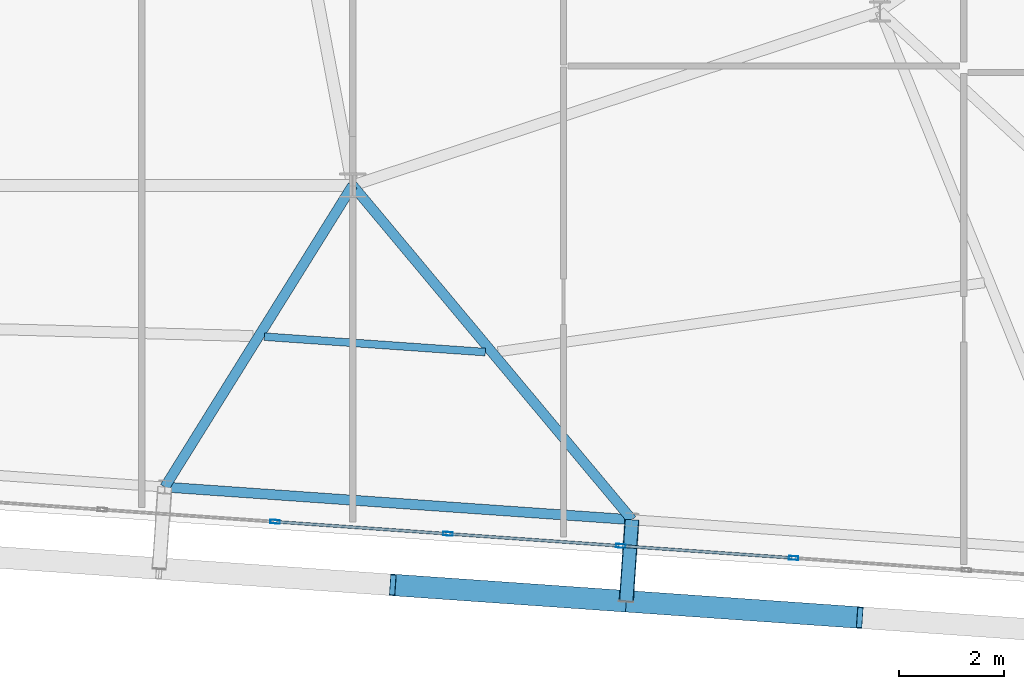
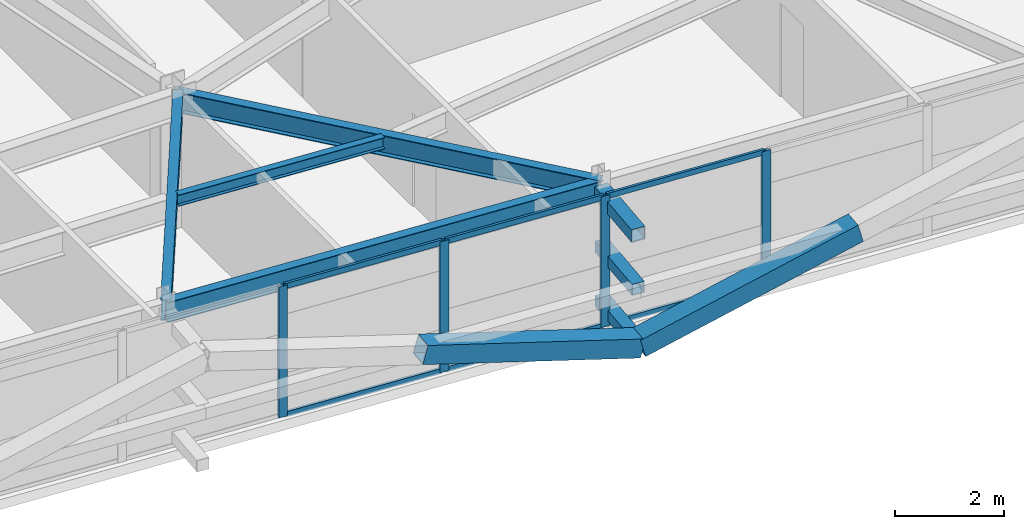
# One storey, part 18 of 47: 15 members, 4 beams, 1 element without a shape of its own.
"""IFC4 building model written with IfcOpenShell, lengths in metres."""

import ifcopenshell
import ifcopenshell.guid

model = None  # the IFC model being written
_history = None  # IfcOwnerHistory: only IFC2X3 demands one
_inside = {}  # id of a spatial element -> (the spatial element, [elements in it])
_under = {}  # id of a project, library or spatial element -> (it, [spatial elements below it])
_declared = {}  # id of a project -> (the project, [libraries it declares])
_typed = {}  # id of a type object -> (the type object, [elements of that type])
_made_of = {}  # id of a material, layer set ... -> (it, [elements and type objects made of it])


def new_model(schema):
    """Start an empty IFC model of exactly this schema.

    Asked for "IFC4X3", IfcOpenShell would pick the latest addendum, in which some entities
    have other attributes; the version numbers below select the first issue.
    IFC2X3 requires an IfcOwnerHistory on every rooted entity: one is made here for all.
    """
    global model, _history
    if schema == "IFC4X3":
        model = ifcopenshell.file(schema_version=(4, 3, 0, 0))
    else:
        model = ifcopenshell.file(schema=schema)
    _inside.clear()
    _under.clear()
    _declared.clear()
    _typed.clear()
    _made_of.clear()
    _history = None
    if model.schema == "IFC2X3":
        org = make("IfcOrganization", Name="unknown")
        user = make(
            "IfcPersonAndOrganization",
            ThePerson=make("IfcPerson", FamilyName="unknown"),
            TheOrganization=org,
        )
        app = make(
            "IfcApplication",
            ApplicationDeveloper=org,
            Version="unknown",
            ApplicationFullName="unknown",
            ApplicationIdentifier="unknown",
        )
        _history = make(
            "IfcOwnerHistory",
            OwningUser=user,
            OwningApplication=app,
            ChangeAction="ADDED",
            CreationDate=0,
        )
    return model


def make(cls, **values):
    """One entity of the class cls with the attributes given. An attribute that is None is left unset."""
    return model.create_entity(
        cls, **{name: value for name, value in values.items() if value is not None}
    )


def rooted(cls, **values):
    """An entity with a GlobalId (a new one), such as an element, a storey or a relation."""
    return make(cls, GlobalId=ifcopenshell.guid.new(), OwnerHistory=_history, **values)


def si_unit(unit_type, name, prefix=None):
    """IfcSIUnit, for example si_unit("LENGTHUNIT", "METRE", prefix="MILLI")."""
    return make("IfcSIUnit", UnitType=unit_type, Prefix=prefix, Name=name)


def assignment(units):
    """IfcUnitAssignment: the units of a project."""
    return None if units is None else make("IfcUnitAssignment", Units=units)


def point(xyz):
    """IfcCartesianPoint."""
    return None if xyz is None else make("IfcCartesianPoint", Coordinates=xyz)


def direction(xyz):
    """IfcDirection."""
    return None if xyz is None else make("IfcDirection", DirectionRatios=xyz)


def frame(location, z_axis=None, x_axis=None):
    """IfcAxis2Placement3D, a coordinate frame: its origin and axes. An axis left out is left unset."""
    return make(
        "IfcAxis2Placement3D",
        Location=point(location),
        Axis=direction(z_axis),
        RefDirection=direction(x_axis),
    )


def frame_2d(location, x_axis=None):
    """IfcAxis2Placement2D, a coordinate frame in the plane: its origin and x axis."""
    return make(
        "IfcAxis2Placement2D", Location=point(location), RefDirection=direction(x_axis)
    )


def origin():
    """The frame at (0, 0, 0) with its axes left unset."""
    return frame((0.0, 0.0, 0.0))


def origin_2d():
    """The frame at (0, 0) in the plane with its x axis left unset."""
    return frame_2d((0.0, 0.0))


def place(relative_to, where):
    """IfcLocalPlacement: puts the frame where relative to a parent placement (None: the world)."""
    return make(
        "IfcLocalPlacement", PlacementRelTo=relative_to, RelativePlacement=where
    )


def context(
    kind, dimensions, precision=None, world=None, true_north=None, identifier=None
):
    """IfcGeometricRepresentationContext, for example the 3D "Model" context."""
    return make(
        "IfcGeometricRepresentationContext",
        ContextIdentifier=identifier,
        ContextType=kind,
        CoordinateSpaceDimension=dimensions,
        Precision=precision,
        WorldCoordinateSystem=world,
        TrueNorth=true_north,
    )


def subcontext(parent, identifier, kind, view, scale=None):
    """IfcGeometricRepresentationSubContext, for example "Body" below "Model"."""
    return make(
        "IfcGeometricRepresentationSubContext",
        ContextIdentifier=identifier,
        ContextType=kind,
        ParentContext=parent,
        TargetScale=scale,
        TargetView=view,
    )


def project(units=None, contexts=None):
    """IfcProject with its units and contexts."""
    return rooted(
        "IfcProject",
        Name="project",
        RepresentationContexts=contexts,
        UnitsInContext=assignment(units),
    )


def spatial(cls, under=None, at=None, **own):
    """A site, building, storey or space (cls), placed at a placement, below another one or the project."""
    s = rooted(cls, ObjectPlacement=at, **own)
    if under is not None:
        _under.setdefault(under.id(), (under, []))[1].append(s)
    return s


def profile(cls, at=None, kind="AREA", **sizes):
    """A parametric profile (cls). Its sizes go by their IFC names, for example OverallWidth=200.0."""
    return make(cls, ProfileType=kind, Position=at, **sizes)


def hollow_rectangle(**sizes):
    """IfcRectangleHollowProfileDef."""
    return profile("IfcRectangleHollowProfileDef", **sizes)


def i_section(**sizes):
    """IfcIShapeProfileDef."""
    return profile("IfcIShapeProfileDef", **sizes)


def extrude(swept, where, along, depth):
    """IfcExtrudedAreaSolid: the profile swept, set in the frame where, extruded along a direction by depth."""
    return make(
        "IfcExtrudedAreaSolid",
        SweptArea=swept,
        Position=where,
        ExtrudedDirection=direction(along),
        Depth=depth,
    )


def shape(context_of_items, identifier, shape_type, items):
    """IfcShapeRepresentation: the items that make up one representation, for example the "Body"."""
    return make(
        "IfcShapeRepresentation",
        ContextOfItems=context_of_items,
        RepresentationIdentifier=identifier,
        RepresentationType=shape_type,
        Items=items,
    )


def source(mapping_origin, context_of_items, identifier, shape_type, items):
    """IfcRepresentationMap: a shape defined once, which mapped items show again and again."""
    return make(
        "IfcRepresentationMap",
        MappingOrigin=mapping_origin,
        MappedRepresentation=shape(context_of_items, identifier, shape_type, items),
    )


def transform(
    local_origin,
    x_axis=None,
    y_axis=None,
    z_axis=None,
    scale=None,
    scale2=None,
    scale3=None,
    uniform=True,
):
    """IfcCartesianTransformationOperator3D, or its non-uniform kind. x_axis, y_axis, z_axis: its Axis1, 2, 3."""
    if uniform:
        return make(
            "IfcCartesianTransformationOperator3D",
            Axis1=direction(x_axis),
            Axis2=direction(y_axis),
            LocalOrigin=point(local_origin),
            Scale=scale,
            Axis3=direction(z_axis),
        )
    return make(
        "IfcCartesianTransformationOperator3DnonUniform",
        Axis1=direction(x_axis),
        Axis2=direction(y_axis),
        LocalOrigin=point(local_origin),
        Scale=scale,
        Axis3=direction(z_axis),
        Scale2=scale2,
        Scale3=scale3,
    )


def mapped(mapping_source, mapping_target):
    """IfcMappedItem: shows the shape of a source again, moved by a transform."""
    return make(
        "IfcMappedItem", MappingSource=mapping_source, MappingTarget=mapping_target
    )


def material(Name=None, Category=None):
    """IfcMaterial."""
    return make("IfcMaterial", Name=Name, Category=Category)


def layer(
    of_material, thickness, ventilated=None, Name=None, Category=None, Priority=None
):
    """IfcMaterialLayer: one layer of a wall or slab, of a material (None: an air gap)."""
    return make(
        "IfcMaterialLayer",
        Material=of_material,
        LayerThickness=thickness,
        IsVentilated=ventilated,
        Name=Name,
        Category=Category,
        Priority=Priority,
    )


def layer_set(layers, Name=None):
    """IfcMaterialLayerSet."""
    return make("IfcMaterialLayerSet", MaterialLayers=layers, LayerSetName=Name)


def material_profile(
    of_material, cross_section, Name=None, Category=None, Priority=None
):
    """IfcMaterialProfile: a cross section and its material."""
    return make(
        "IfcMaterialProfile",
        Name=Name,
        Material=of_material,
        Profile=cross_section,
        Priority=Priority,
        Category=Category,
    )


def profile_set(profiles, Name=None, composite=None):
    """IfcMaterialProfileSet."""
    return make(
        "IfcMaterialProfileSet",
        Name=Name,
        MaterialProfiles=profiles,
        CompositeProfile=composite,
    )


def made_of(thing, what):
    """Note that an element or type object is made of a material, layer set ...; save() writes the relation."""
    if what is not None:
        _made_of.setdefault(what.id(), (what, []))[1].append(thing)
    return thing


def type_object(cls, material=None, **own):
    """A type object (cls), such as IfcWallType, which elements share."""
    return made_of(rooted(cls, **own), material)


def element(
    cls,
    number,
    at=None,
    inside=None,
    cuts=None,
    type_object=None,
    material=None,
    context=None,
    identifier="Body",
    shape_type=None,
    held_by="IfcProductDefinitionShape",
    body=None,
    shapes=None,
    **own,
):
    """One element of the class cls, such as IfcWall. Its Tag is "e" and its number.

    at: its placement. inside: the storey or other place that contains it. cuts: it is an
    opening in that element (IfcRelVoidsElement). A single representation is given by context,
    identifier, shape_type and body (its items); several are given by shapes. held_by: the class
    of the entity that holds the representations. save() writes the other relations.
    """
    e = rooted(cls, Tag="e%d" % number, ObjectPlacement=at, **own)
    if body is not None:
        shapes = [shape(context, identifier, shape_type, body)]
    if shapes is not None:
        e.Representation = make(held_by, Representations=shapes)
    if inside is not None:
        _inside.setdefault(inside.id(), (inside, []))[1].append(e)
    if cuts is not None:
        rooted(
            "IfcRelVoidsElement", RelatingBuildingElement=cuts, RelatedOpeningElement=e
        )
    if type_object is not None:
        _typed.setdefault(type_object.id(), (type_object, []))[1].append(e)
    return made_of(e, material)


def aggregate(whole, parts):
    """IfcRelAggregates: a whole, such as a stair, and the parts it consists of."""
    return rooted("IfcRelAggregates", RelatingObject=whole, RelatedObjects=parts)


def save(model, path):
    """Write the relations noted so far, then the file.

    IfcRelAggregates (storeys below a building ...), IfcRelContainedInSpatialStructure (elements
    in a storey), IfcRelDefinesByType, IfcRelAssociatesMaterial and IfcRelDeclares: one each for
    every whole, place, type object, material and project.
    """
    for whole, parts in _under.values():
        aggregate(whole, parts)
    for where, things in _inside.values():
        rooted(
            "IfcRelContainedInSpatialStructure",
            RelatedElements=things,
            RelatingStructure=where,
        )
    for kind, things in _typed.values():
        rooted("IfcRelDefinesByType", RelatedObjects=things, RelatingType=kind)
    for what, things in _made_of.values():
        rooted("IfcRelAssociatesMaterial", RelatedObjects=things, RelatingMaterial=what)
    for by, libraries in _declared.values():
        rooted("IfcRelDeclares", RelatingContext=by, RelatedDefinitions=libraries)
    model.write(path)


model = new_model("IFC4")

# Units and contexts
model_context = context("Model", 3, precision=1e-05, world=origin(), true_north=direction((0.0, 1.0)))
body_context = subcontext(model_context, "Body", "Model", "MODEL_VIEW")
ifc_project = project(units=[si_unit("LENGTHUNIT", "METRE"), si_unit("AREAUNIT", "SQUARE_METRE"), si_unit("VOLUMEUNIT", "CUBIC_METRE"), si_unit("PLANEANGLEUNIT", "RADIAN"), si_unit("MASSUNIT", "GRAM", prefix="KILO")], contexts=[model_context])

# Site, building, storey
site_placement = place(None, origin())
site = spatial("IfcSite", under=ifc_project, at=site_placement, CompositionType="ELEMENT")
building_placement = place(site_placement, origin())
building = spatial("IfcBuilding", under=site, at=building_placement, Name="Taldren Reach Tower", CompositionType="ELEMENT")
storey_placement = place(building_placement, frame((0.0, 0.0, 139.300048828125)))
storey = spatial("IfcBuildingStorey", under=building, at=storey_placement, Name="L42", CompositionType="ELEMENT", Elevation=139.300048828125)

# Members
ifc_material_1 = material(Name="Steel Gr 450 (C450L0)", Category="steel")
ifc_material_profile_1 = material_profile(ifc_material_1, hollow_rectangle(XDim=0.27490234375, YDim=0.27490234375, WallThickness=0.00927734375, at=origin_2d()), Name="275x275x9.3SHS")
ifc_profile_set_1 = profile_set([ifc_material_profile_1], Name="Steel Gr 450 (C450L0)")
member_type_1 = type_object("IfcMemberType", Name="MB-TIE273", PredefinedType="STRUT", material=ifc_profile_set_1)
shared_shape_1 = source(origin(), body_context, "Body", "SweptSolid", [
    extrude(hollow_rectangle(XDim=0.27490234375, YDim=0.27490234375, WallThickness=0.00927734375, at=origin_2d()), origin(), (0.0, 0.0, 1.0), 1.5498046875),
])
member_1_placement = place(storey_placement, frame((47.297119140625, 2.860595703125, 2.64990234375), z_axis=(-0.069780535098, -0.997562367434, 0.0), x_axis=(0.997562367434, -0.069780535098, 0.0)))
element("IfcMember", 1, at=member_1_placement, inside=storey, type_object=member_type_1, Name="Exoskeleton diaphragm tie strut B3-S5 L42", PredefinedType="STRUT", context=body_context, shape_type="MappedRepresentation", body=[
    mapped(shared_shape_1, transform((0.0, 0.0, 0.0), scale=1.0)),
])
ifc_material_2 = material(Name="Steel Gr 350 (C350L0)", Category="steel")
ifc_material_profile_2 = material_profile(ifc_material_2, hollow_rectangle(XDim=0.25, YDim=0.25, WallThickness=0.010009765625, at=origin_2d()), Name="250x250x10.0SHS")
ifc_profile_set_2 = profile_set([ifc_material_profile_2], Name="Steel Gr 350 (C350L0)")
member_type_2 = type_object("IfcMemberType", Name="MB-POST250", PredefinedType="POST", material=ifc_profile_set_2)
shared_shape_2 = source(origin(), body_context, "Body", "SweptSolid", [
    extrude(hollow_rectangle(XDim=0.25, YDim=0.25, WallThickness=0.010009765625, at=origin_2d()), origin(), (0.0, 0.0, 1.0), 1.5498046875),
])
for number, where, z_axis, x_axis, name in (
    (2, (47.297119140625, 2.860595703125, 0.219970703125), (-0.069780535098, -0.997562367434, 0.0), (0.997562367434, -0.069780535098, 0.0), "Exoskeleton base diaphragm tie strut B3-S5 L42"),
    (3, (47.297119140625, 2.860595703125, 1.43505859375), (-0.069780535098, -0.997562367434, 0.0), (0.997562367434, -0.069780535098, 0.0), "Exoskeleton mid-tier diaphragm tie B3-S5 L42"),
):
    element("IfcMember", number, at=place(storey_placement, frame(where, z_axis=z_axis, x_axis=x_axis)), inside=storey, type_object=member_type_2, Name=name, PredefinedType="POST", context=body_context, shape_type="MappedRepresentation", body=[
        mapped(shared_shape_2, transform((0.0, 0.0, 0.0), scale=1.0)),
    ])

# Beams
ifc_material_3 = material(Name="Steel Gr 350 (350PLUS)", Category="steel")
ifc_material_profile_3 = material_profile(ifc_material_3, i_section(OverallWidth=0.18994140625, OverallDepth=0.4541015625, WebThickness=0.008544921875, FlangeThickness=0.0126953125, at=origin_2d()), Name="460UB67.1")
ifc_profile_set_3 = profile_set([ifc_material_profile_3], Name="Steel Gr 350 (350PLUS)")
beam_type_1 = type_object("IfcBeamType", Name="SP-UB460B", PredefinedType="SPANDREL", material=ifc_profile_set_3)
shared_shape_3 = source(origin(), body_context, "Body", "SweptSolid", [
    extrude(i_section(OverallWidth=0.18994140625, OverallDepth=0.4541015625, WebThickness=0.008544921875, FlangeThickness=0.0126953125, at=origin_2d()), origin(), (0.0, 0.0, 1.0), 8.880126953125),
])
beam_1_placement = place(storey_placement, frame((38.438720703125, 3.480224609375, 2.702880859375), z_axis=(0.997562566276, -0.06977769246, 0.0), x_axis=(0.06977769246, 0.997562566276, 0.0)))
element("IfcBeam", 4, at=beam_1_placement, inside=storey, type_object=beam_type_1, Name="Perimeter spandrel B3 S4-S5 L42", PredefinedType="SPANDREL", context=body_context, shape_type="MappedRepresentation", body=[
    mapped(shared_shape_3, transform((0.0, 0.0, 0.0), scale=1.0)),
])
ifc_material_profile_4 = material_profile(ifc_material_3, i_section(OverallWidth=0.19091796875, OverallDepth=0.4599609375, WebThickness=0.010009765625, FlangeThickness=0.01611328125, at=origin_2d()), Name="460UB82.1")
ifc_profile_set_4 = profile_set([ifc_material_profile_4], Name="Steel Gr 350 (350PLUS)")
beam_type_2 = type_object("IfcBeamType", Name="BM-UB460A", PredefinedType="BEAM", material=ifc_profile_set_4)
shared_shape_4 = source(origin(), body_context, "Body", "SweptSolid", [
    extrude(i_section(OverallWidth=0.19091796875, OverallDepth=0.4599609375, WebThickness=0.010009765625, FlangeThickness=0.01611328125, at=origin_2d()), origin(), (0.0, 0.0, 1.0), 6.73779296875),
])
beam_2_placement = place(storey_placement, frame((42.0, 9.199951171875, 2.699951171875), z_axis=(-0.528552048024, -0.848900896765, 0.0), x_axis=(0.848900896765, -0.528552048024, 0.0)))
element("IfcBeam", 5, at=beam_2_placement, inside=storey, type_object=beam_type_2, Name="Primary floor girder B3-S4 L42", PredefinedType="BEAM", context=body_context, shape_type="MappedRepresentation", body=[
    mapped(shared_shape_4, transform((0.0, 0.0, 0.0), scale=1.0)),
])
shared_shape_5 = source(origin(), body_context, "Body", "SweptSolid", [
    extrude(i_section(OverallWidth=0.19091796875, OverallDepth=0.4599609375, WebThickness=0.010009765625, FlangeThickness=0.01611328125, at=origin_2d()), origin(), (0.0, 0.0, 1.0), 8.26123046875),
])
beam_3_placement = place(storey_placement, frame((42.0, 9.199951171875, 2.699951171875), z_axis=(0.64120703686, -0.767367927322, 0.0), x_axis=(0.767367927322, 0.64120703686, 0.0)))
element("IfcBeam", 6, at=beam_3_placement, inside=storey, type_object=beam_type_2, Name="Primary floor girder B3-S5 L42", PredefinedType="BEAM", context=body_context, shape_type="MappedRepresentation", body=[
    mapped(shared_shape_5, transform((0.0, 0.0, 0.0), scale=1.0)),
])
ifc_material_4 = material(Name="Steel Gr 300 (300PLUS, 300 MPa)", Category="steel")
ifc_material_profile_5 = material_profile(ifc_material_4, i_section(OverallWidth=0.14599609375, OverallDepth=0.256103515625, WebThickness=0.00634765625, FlangeThickness=0.010986328125, at=origin_2d()), Name="250UB37.3")
ifc_profile_set_5 = profile_set([ifc_material_profile_5], Name="Steel Gr 300 (300PLUS, 300 MPa)")
beam_type_3 = type_object("IfcBeamType", Name="JS-UB250", PredefinedType="JOIST", material=ifc_profile_set_5)
shared_shape_6 = source(origin(), body_context, "Body", "SweptSolid", [
    extrude(i_section(OverallWidth=0.14599609375, OverallDepth=0.256103515625, WebThickness=0.00634765625, FlangeThickness=0.010986328125, at=origin_2d()), origin(), (0.0, 0.0, 1.0), 4.199462890625),
])
beam_4_placement = place(storey_placement, frame((40.3271484375, 6.33251953125, 2.802001953125), z_axis=(0.99756354117, -0.069763753681, 0.0), x_axis=(0.069763753681, 0.99756354117, 0.0)))
element("IfcBeam", 7, at=beam_4_placement, inside=storey, type_object=beam_type_3, Name="Secondary floor joist B3 J4 L42", PredefinedType="JOIST", context=body_context, shape_type="MappedRepresentation", body=[
    mapped(shared_shape_6, transform((0.0, 0.0, 0.0), scale=1.0)),
])

# Members
ifc_material_profile_6 = material_profile(ifc_material_1, hollow_rectangle(XDim=0.409912109375, YDim=0.409912109375, WallThickness=0.01611328125, at=origin_2d()), Name="410x410x16.0SHS")
ifc_profile_set_6 = profile_set([ifc_material_profile_6], Name="Steel Gr 450 (C450L0)")
member_type_3 = type_object("IfcMemberType", Name="MB-EXO406", PredefinedType="BRACE", material=ifc_profile_set_6)
shared_shape_7 = source(origin(), body_context, "Body", "SweptSolid", [
    extrude(hollow_rectangle(XDim=0.409912109375, YDim=0.409912109375, WallThickness=0.01611328125, at=origin_2d()), origin(), (0.0, 0.0, 1.0), 4.603271484375),
])
for number, where, z_axis, x_axis, name in (
    (8, (47.18896484375, 1.314453125, 0.219970703125), (-0.962182351074, 0.067302910567, 0.263961060594), (-0.06977769246, -0.997562566276, 0.0), "Exoskeleton Diagrid Brace B3-S4 L42"),
    (9, (47.18896484375, 1.314453125, 0.219970703125), (0.962182351074, -0.067302910567, 0.263961060594), (0.06977769246, 0.997562566276, 0.0), "Exoskeleton Diagrid Brace B3-S5 L42"),
):
    element("IfcMember", number, at=place(storey_placement, frame(where, z_axis=z_axis, x_axis=x_axis)), inside=storey, type_object=member_type_3, Name=name, PredefinedType="BRACE", context=body_context, shape_type="MappedRepresentation", body=[
        mapped(shared_shape_7, transform((0.0, 0.0, 0.0), scale=1.0)),
    ])

# Curtain wall, members
ifc_material_5 = material(Name="Aluminium and Low-E Glass Unitised System", Category="aluminium")
ifc_layer = layer(ifc_material_5, 0.159912109375)
ifc_layer_set = layer_set([ifc_layer], Name="Aluminium and Low-E Glass Unitised System")
curtain_wall_type = type_object("IfcCurtainWallType", Name="CW-SYS-4", PredefinedType="NOTDEFINED", material=ifc_layer_set)
curtain_wall_placement = place(storey_placement, origin())
curtain_wall = element("IfcCurtainWall", 10, at=curtain_wall_placement, inside=storey, type_object=curtain_wall_type, Name="Unitised curtain wall CW-L42-S", PredefinedType="NOTDEFINED")
ifc_material_6 = material(Name="Anodised Aluminium 6063-T6", Category="aluminium")
ifc_material_profile_7 = material_profile(ifc_material_6, hollow_rectangle(XDim=0.070068359375, YDim=0.179931640625, WallThickness=0.00390625, at=origin_2d()), Name="ALU-180x70x4RHS")
ifc_profile_set_7 = profile_set([ifc_material_profile_7], Name="Anodised Aluminium 6063-T6")
member_type_4 = type_object("IfcMemberType", Name="CW-MUL-180", PredefinedType="MULLION", material=ifc_profile_set_7)
shared_shape_8 = source(origin(), body_context, "Body", "SweptSolid", [
    extrude(hollow_rectangle(XDim=0.070068359375, YDim=0.179931640625, WallThickness=0.00390625, at=origin_2d()), origin(), (0.0, 0.0, 1.0), 2.929931640625),
])
member_2_placement = place(storey_placement, frame((40.529296875, 2.82275390625, 0.0), z_axis=(0.0, 0.0, 1.0), x_axis=(0.06975651593, 0.99756404731, 0.0)))
member_2 = element("IfcMember", 11, at=member_2_placement, type_object=member_type_4, Name="CW-4 mullion 10", PredefinedType="MULLION", context=body_context, shape_type="MappedRepresentation", body=[
    mapped(shared_shape_8, transform((0.0, 0.0, 0.0), scale=1.0)),
])
member_3_placement = place(storey_placement, frame((43.80712890625, 2.593505859375, 0.0), z_axis=(0.0, 0.0, 1.0), x_axis=(0.06975651593, 0.99756404731, 0.0)))
member_3 = element("IfcMember", 12, at=member_3_placement, type_object=member_type_4, Name="CW-4 mullion 11", PredefinedType="MULLION", context=body_context, shape_type="MappedRepresentation", body=[
    mapped(shared_shape_8, transform((0.0, 0.0, 0.0), scale=1.0)),
])
member_4_placement = place(storey_placement, frame((47.084716796875, 2.3642578125, 0.0), z_axis=(0.0, 0.0, 1.0), x_axis=(0.06975651593, 0.99756404731, 0.0)))
member_4 = element("IfcMember", 13, at=member_4_placement, type_object=member_type_4, Name="CW-4 mullion 12", PredefinedType="MULLION", context=body_context, shape_type="MappedRepresentation", body=[
    mapped(shared_shape_8, transform((0.0, 0.0, 0.0), scale=1.0)),
])
member_5_placement = place(storey_placement, frame((50.362548828125, 2.135009765625, 0.0), z_axis=(0.0, 0.0, 1.0), x_axis=(0.06975651593, 0.99756404731, 0.0)))
member_5 = element("IfcMember", 14, at=member_5_placement, type_object=member_type_4, Name="CW-4 mullion 13", PredefinedType="MULLION", context=body_context, shape_type="MappedRepresentation", body=[
    mapped(shared_shape_8, transform((0.0, 0.0, 0.0), scale=1.0)),
])
ifc_material_profile_8 = material_profile(ifc_material_6, hollow_rectangle(XDim=0.054931640625, YDim=0.1201171875, WallThickness=0.0029296875, at=origin_2d()), Name="ALU-120x55x3RHS")
ifc_profile_set_8 = profile_set([ifc_material_profile_8], Name="Anodised Aluminium 6063-T6")
member_type_5 = type_object("IfcMemberType", Name="CW-TRN-135", PredefinedType="USERDEFINED", material=ifc_profile_set_8)
shared_shape_9 = source(origin(), body_context, "Body", "SweptSolid", [
    extrude(hollow_rectangle(XDim=0.054931640625, YDim=0.1201171875, WallThickness=0.0029296875, at=origin_2d()), origin(), (0.0, 0.0, 1.0), 3.2158203125),
])
member_6_placement = place(storey_placement, frame((40.564208984375, 2.8203125, 0.02734375), z_axis=(0.997563195991, -0.069768689278, 0.0), x_axis=(0.069768689278, 0.997563195991, 0.0)))
member_6 = element("IfcMember", 15, at=member_6_placement, type_object=member_type_5, Name="CW-4 transom 10.1", ObjectType="TRANSOM", PredefinedType="USERDEFINED", context=body_context, shape_type="MappedRepresentation", body=[
    mapped(shared_shape_9, transform((0.0, 0.0, 0.0), scale=1.0)),
])
member_7_placement = place(storey_placement, frame((40.564208984375, 2.8203125, 2.90234375), z_axis=(0.997563195991, -0.069768689278, 0.0), x_axis=(0.069768689278, 0.997563195991, 0.0)))
member_7 = element("IfcMember", 16, at=member_7_placement, type_object=member_type_5, Name="CW-4 transom 10.2", ObjectType="TRANSOM", PredefinedType="USERDEFINED", context=body_context, shape_type="MappedRepresentation", body=[
    mapped(shared_shape_9, transform((0.0, 0.0, 0.0), scale=1.0)),
])
member_8_placement = place(storey_placement, frame((47.11962890625, 2.36181640625, 0.02734375), z_axis=(0.997563195991, -0.069768689278, 0.0), x_axis=(0.069768689278, 0.997563195991, 0.0)))
member_8 = element("IfcMember", 17, at=member_8_placement, type_object=member_type_5, Name="CW-4 transom 12.1", ObjectType="TRANSOM", PredefinedType="USERDEFINED", context=body_context, shape_type="MappedRepresentation", body=[
    mapped(shared_shape_9, transform((0.0, 0.0, 0.0), scale=1.0)),
])
member_9_placement = place(storey_placement, frame((47.11962890625, 2.36181640625, 2.90234375), z_axis=(0.997563195991, -0.069768689278, 0.0), x_axis=(0.069768689278, 0.997563195991, 0.0)))
member_9 = element("IfcMember", 18, at=member_9_placement, type_object=member_type_5, Name="CW-4 transom 12.2", ObjectType="TRANSOM", PredefinedType="USERDEFINED", context=body_context, shape_type="MappedRepresentation", body=[
    mapped(shared_shape_9, transform((0.0, 0.0, 0.0), scale=1.0)),
])
shared_shape_10 = source(origin(), body_context, "Body", "SweptSolid", [
    extrude(hollow_rectangle(XDim=0.054931640625, YDim=0.1201171875, WallThickness=0.0029296875, at=origin_2d()), origin(), (0.0, 0.0, 1.0), 3.215576171875),
])
member_10_placement = place(storey_placement, frame((43.842041015625, 2.591064453125, 0.02734375), z_axis=(0.997562826405, -0.069773973473, 0.0), x_axis=(0.069773973473, 0.997562826405, 0.0)))
member_10 = element("IfcMember", 19, at=member_10_placement, type_object=member_type_5, Name="CW-4 transom 11.1", ObjectType="TRANSOM", PredefinedType="USERDEFINED", context=body_context, shape_type="MappedRepresentation", body=[
    mapped(shared_shape_10, transform((0.0, 0.0, 0.0), scale=1.0)),
])
member_11_placement = place(storey_placement, frame((43.842041015625, 2.591064453125, 2.90234375), z_axis=(0.997562826405, -0.069773973473, 0.0), x_axis=(0.069773973473, 0.997562826405, 0.0)))
member_11 = element("IfcMember", 20, at=member_11_placement, type_object=member_type_5, Name="CW-4 transom 11.2", ObjectType="TRANSOM", PredefinedType="USERDEFINED", context=body_context, shape_type="MappedRepresentation", body=[
    mapped(shared_shape_10, transform((0.0, 0.0, 0.0), scale=1.0)),
])
aggregate(curtain_wall, [member_2, member_3, member_4, member_5, member_6, member_7, member_10, member_11, member_8, member_9])

save(model, "model.ifc")
